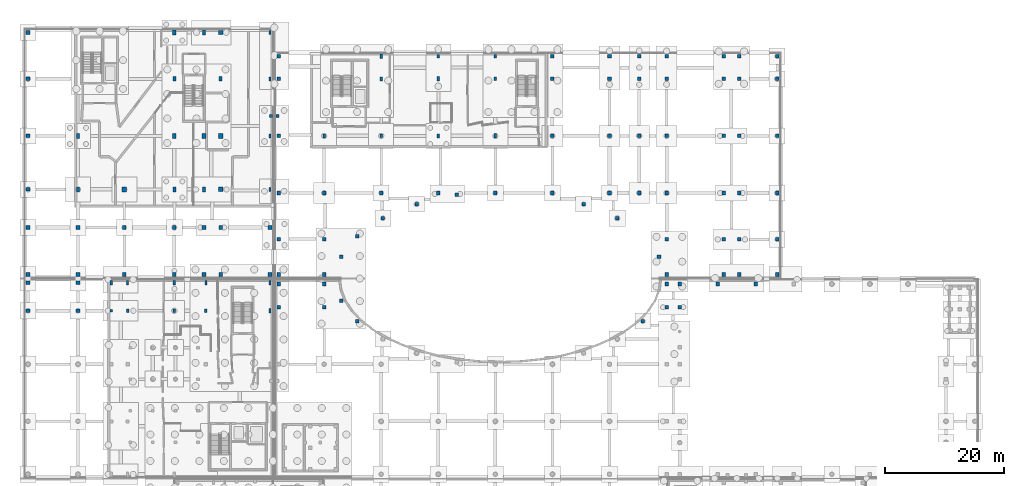
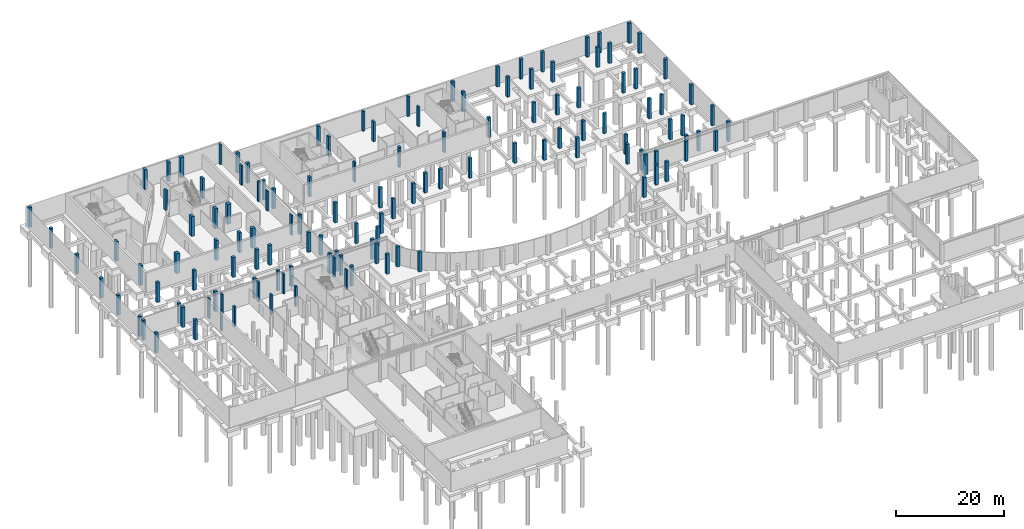
# One storey, part 14 of 40: 131 columns.
"""IFC4 building model written with IfcOpenShell, lengths in metres."""

from ifc_helpers import new_model, si_unit, direction, frame, origin, origin_2d, place, context, subcontext, project, spatial, rectangle, extrude, material, material_profile, profile_set, type_object, element, save


model = new_model("IFC4")

# Units and contexts
model_context = context("Model", 3, precision=1e-05, world=origin(), true_north=direction((0.0, 1.0)))
body_context = subcontext(model_context, "Body", "Model", "MODEL_VIEW")
ifc_project = project(units=[si_unit("LENGTHUNIT", "METRE"), si_unit("AREAUNIT", "SQUARE_METRE"), si_unit("VOLUMEUNIT", "CUBIC_METRE"), si_unit("PLANEANGLEUNIT", "RADIAN"), si_unit("MASSUNIT", "GRAM", prefix="KILO")], contexts=[model_context])

# Site, building, storey
site_placement = place(None, origin())
site = spatial("IfcSite", under=ifc_project, at=site_placement, CompositionType="ELEMENT")
building_placement = place(site_placement, origin())
building = spatial("IfcBuilding", under=site, at=building_placement, Name="Mzevani Central Library", CompositionType="ELEMENT")
storey_placement = place(building_placement, frame((0.0, 0.0, -4.5)))
storey = spatial("IfcBuildingStorey", under=building, at=storey_placement, Name="B1", CompositionType="ELEMENT", Elevation=-4.5)

# Columns
ifc_material = material(Name="Concrete C40/50", Category="concrete")
ifc_material_profile_1 = material_profile(ifc_material, rectangle(XDim=0.39990234375, YDim=0.60009765625, at=origin_2d()), Name="RC 400x600")
ifc_profile_set_1 = profile_set([ifc_material_profile_1], Name="Concrete C40/50")
column_type_1 = type_object("IfcColumnType", Name="Column RC 400x600", PredefinedType="COLUMN", material=ifc_profile_set_1)
for number, where, z_axis, x_axis, name in (
    (1, (64.0, 100.0, 0.0), (0.0, 0.0, 1.0), (1.0, 0.0, 0.0), "B1 V3 Column C-11 (111)"),
    (2, (73.60009765625, 113.39990234375, 0.0), (0.0, 0.0, 1.0), (1.0, 0.0, 0.0), "B1 V3 Column C-11 (117)"),
    (3, (83.199951171875, 109.60009765625, 0.0), (0.0, 0.0, 1.0), (1.0, 0.0, 0.0), "B1 V3 Column C-11 (120)"),
    (4, (21.35009765625, 70.60009765625, 0.0), (0.0, 0.0, 1.0), (1.0, 0.0, 0.0), "B1 V5 Column C-11 (200)"),
    (5, (29.199951171875, 70.60009765625, 0.0), (0.0, 0.0, 1.0), (1.0, 0.0, 0.0), "B1 V5 Column C-11 (203)"),
    (6, (34.5, 70.60009765625, 0.0), (0.0, 0.0, 1.0), (1.0, 0.0, 0.0), "B1 V5 Column C-11 (206)"),
):
    element("IfcColumn", number, at=place(storey_placement, frame(where, z_axis=z_axis, x_axis=x_axis)), inside=storey, type_object=column_type_1, Name=name, PredefinedType="COLUMN", context=body_context, shape_type="SweptSolid", body=[
        extrude(rectangle(XDim=0.39990234375, YDim=0.60009765625, at=origin_2d()), origin(), (0.0, 0.0, 1.0), 4.5),
    ])
ifc_material_profile_2 = material_profile(ifc_material, rectangle(XDim=0.449951171875, YDim=0.449951171875, at=origin_2d()), Name="RC 450x450")
ifc_profile_set_2 = profile_set([ifc_material_profile_2], Name="Concrete C40/50")
column_type_2 = type_object("IfcColumnType", Name="Column RC 450x450", PredefinedType="COLUMN", material=ifc_profile_set_2)
column_placement = place(storey_placement, frame((18.60009765625, 70.60009765625, 0.0), z_axis=(0.0, 0.0, 1.0), x_axis=(1.0, 0.0, 0.0)))
element("IfcColumn", 7, at=column_placement, inside=storey, type_object=column_type_2, Name="B1 V5 Column C-03 (195)", PredefinedType="COLUMN", context=body_context, shape_type="SweptSolid", body=[
    extrude(rectangle(XDim=0.449951171875, YDim=0.449951171875, at=origin_2d()), origin(), (0.0, 0.0, 1.0), 4.5),
])
ifc_material_profile_3 = material_profile(ifc_material, rectangle(XDim=0.449951171875, YDim=0.64990234375, at=origin_2d()), Name="RC 450x650")
ifc_profile_set_3 = profile_set([ifc_material_profile_3], Name="Concrete C40/50")
column_type_3 = type_object("IfcColumnType", Name="Column RC 450x650", PredefinedType="COLUMN", material=ifc_profile_set_3)
for number, where, z_axis, x_axis, name in (
    (8, (54.39990234375, 100.0, 0.0), (0.0, 0.0, 1.0), (1.0, 0.0, 0.0), "B1 V3 Column C-12 (109)"),
    (9, (64.0, 109.60009765625, 0.0), (0.0, 0.0, 1.0), (1.0, 0.0, 0.0), "B1 V3 Column C-12 (112)"),
    (10, (73.60009765625, 100.0, 0.0), (0.0, 0.0, 1.0), (1.0, 0.0, 0.0), "B1 V3 Column C-12 (115)"),
    (11, (83.199951171875, 113.39990234375, 0.0), (0.0, 0.0, 1.0), (1.0, 0.0, 0.0), "B1 V3 Column C-12 (121)"),
):
    element("IfcColumn", number, at=place(storey_placement, frame(where, z_axis=z_axis, x_axis=x_axis)), inside=storey, type_object=column_type_3, Name=name, PredefinedType="COLUMN", context=body_context, shape_type="SweptSolid", body=[
        extrude(rectangle(XDim=0.449951171875, YDim=0.64990234375, at=origin_2d()), origin(), (0.0, 0.0, 1.0), 4.5),
    ])
ifc_material_profile_4 = material_profile(ifc_material, rectangle(XDim=0.449951171875, YDim=0.75, at=origin_2d()), Name="RC 450x750")
ifc_profile_set_4 = profile_set([ifc_material_profile_4], Name="Concrete C40/50")
column_type_4 = type_object("IfcColumnType", Name="Column RC 450x750", PredefinedType="COLUMN", material=ifc_profile_set_4)
for number, where, z_axis, x_axis, name in (
    (12, (64.0, 113.39990234375, 0.0), (0.0, 0.0, 1.0), (1.0, 0.0, 0.0), "B1 V3 Column C-13 (113)"),
    (13, (73.60009765625, 109.60009765625, 0.0), (0.0, 0.0, 1.0), (1.0, 0.0, 0.0), "B1 V3 Column C-13 (116)"),
    (14, (83.199951171875, 100.0, 0.0), (0.0, 0.0, 1.0), (1.0, 0.0, 0.0), "B1 V3 Column C-13 (119)"),
):
    element("IfcColumn", number, at=place(storey_placement, frame(where, z_axis=z_axis, x_axis=x_axis)), inside=storey, type_object=column_type_4, Name=name, PredefinedType="COLUMN", context=body_context, shape_type="SweptSolid", body=[
        extrude(rectangle(XDim=0.449951171875, YDim=0.75, at=origin_2d()), origin(), (0.0, 0.0, 1.0), 4.5),
    ])
ifc_material_profile_5 = material_profile(ifc_material, rectangle(XDim=0.5, YDim=0.5, at=origin_2d()), Name="RC 500x500")
ifc_profile_set_5 = profile_set([ifc_material_profile_5], Name="Concrete C40/50")
column_type_5 = type_object("IfcColumnType", Name="Column RC 500x500", PredefinedType="COLUMN", material=ifc_profile_set_5)
for number, where, z_axis, x_axis, name in (
    (15, (45.449951171875, 103.35009765625, 0.0), (0.0, 0.0, 1.0), (1.0, 0.0, 0.0), "B1 Seismic Joint Corbel Column 4"),
    (16, (46.550048828125, 103.35009765625, 0.0), (0.0, 0.0, 1.0), (1.0, 0.0, 0.0), "B1 Seismic Joint Corbel Column 6"),
):
    element("IfcColumn", number, at=place(storey_placement, frame(where, z_axis=z_axis, x_axis=x_axis)), inside=storey, type_object=column_type_5, Name=name, PredefinedType="COLUMN", context=body_context, shape_type="SweptSolid", body=[
        extrude(rectangle(XDim=0.5, YDim=0.5, at=origin_2d()), origin(), (0.0, 0.0, 1.0), 4.5),
    ])
ifc_material_profile_6 = material_profile(ifc_material, rectangle(XDim=0.5, YDim=0.800048828125, at=origin_2d()), Name="RC 500x800")
ifc_profile_set_6 = profile_set([ifc_material_profile_6], Name="Concrete C40/50")
column_type_6 = type_object("IfcColumnType", Name="Column RC 500x800", PredefinedType="COLUMN", material=ifc_profile_set_6)
for number, where, z_axis, x_axis, name in (
    (17, (13.0, 100.0, 0.0), (0.0, 0.0, 1.0), (1.0, 0.0, 0.0), "B1 V2 Column C-15 (72)"),
    (18, (29.199951171875, 91.0, 0.0), (0.0, 0.0, 1.0), (1.0, 0.0, 0.0), "B1 V2 Column C-15 (79)"),
    (19, (29.199951171875, 109.60009765625, 0.0), (0.0, 0.0, 1.0), (1.0, 0.0, 0.0), "B1 V2 Column C-15 (81)"),
    (20, (34.199951171875, 91.0, 0.0), (0.0, 0.0, 1.0), (1.0, 0.0, 0.0), "B1 V2 Column C-15 (85)"),
    (21, (34.199951171875, 117.39990234375, 0.0), (0.0, 0.0, 1.0), (1.0, 0.0, 0.0), "B1 V2 Column C-15 (87)"),
    (22, (37.0, 109.60009765625, 0.0), (0.0, 0.0, 1.0), (1.0, 0.0, 0.0), "B1 V2 Column C-15 (92)"),
):
    element("IfcColumn", number, at=place(storey_placement, frame(where, z_axis=z_axis, x_axis=x_axis)), inside=storey, type_object=column_type_6, Name=name, PredefinedType="COLUMN", context=body_context, shape_type="SweptSolid", body=[
        extrude(rectangle(XDim=0.5, YDim=0.800048828125, at=origin_2d()), origin(), (0.0, 0.0, 1.0), 4.5),
    ])
ifc_material_profile_7 = material_profile(ifc_material, rectangle(XDim=0.550048828125, YDim=0.85009765625, at=origin_2d()), Name="RC 550x850")
ifc_profile_set_7 = profile_set([ifc_material_profile_7], Name="Concrete C40/50")
column_type_7 = type_object("IfcColumnType", Name="Column RC 550x850", PredefinedType="COLUMN", material=ifc_profile_set_7)
for number, where, z_axis, x_axis, name in (
    (23, (13.0, 91.0, 0.0), (0.0, 0.0, 1.0), (1.0, 0.0, 0.0), "B1 V2 Column C-16 (71)"),
    (24, (29.199951171875, 117.39990234375, 0.0), (0.0, 0.0, 1.0), (1.0, 0.0, 0.0), "B1 V2 Column C-16 (82)"),
):
    element("IfcColumn", number, at=place(storey_placement, frame(where, z_axis=z_axis, x_axis=x_axis)), inside=storey, type_object=column_type_7, Name=name, PredefinedType="COLUMN", context=body_context, shape_type="SweptSolid", body=[
        extrude(rectangle(XDim=0.550048828125, YDim=0.85009765625, at=origin_2d()), origin(), (0.0, 0.0, 1.0), 4.5),
    ])
ifc_material_profile_8 = material_profile(ifc_material, rectangle(XDim=0.60009765625, YDim=0.60009765625, at=origin_2d()), Name="RC 600x600")
ifc_profile_set_8 = profile_set([ifc_material_profile_8], Name="Concrete C40/50")
column_type_8 = type_object("IfcColumnType", Name="Column RC 600x600", PredefinedType="COLUMN", material=ifc_profile_set_8)
for number, where, z_axis, x_axis, name in (
    (25, (46.75, 71.199951171875, 0.0), (0.0, 0.0, 1.0), (1.0, 0.0, 0.0), "B1 V1 Foundation Pedestal (2)"),
    (26, (46.75, 75.10009765625, 0.0), (0.0, 0.0, 1.0), (1.0, 0.0, 0.0), "B1 V1 Foundation Pedestal (3)"),
    (27, (54.39990234375, 71.199951171875, 0.0), (0.0, 0.0, 1.0), (1.0, 0.0, 0.0), "B1 V1 Foundation Pedestal (5)"),
    (28, (54.39990234375, 75.10009765625, 0.0), (0.0, 0.0, 1.0), (1.0, 0.0, 0.0), "B1 V1 Foundation Pedestal (6)"),
    (29, (112.0, 71.199951171875, 0.0), (0.0, 0.0, 1.0), (1.0, 0.0, 0.0), "B1 V1 Foundation Pedestal (25)"),
    (30, (112.0, 75.10009765625, 0.0), (0.0, 0.0, 1.0), (1.0, 0.0, 0.0), "B1 V1 Foundation Pedestal (26)"),
    (31, (114.199951171875, 71.199951171875, 0.0), (0.0, 0.0, 1.0), (1.0, 0.0, 0.0), "B1 V1 Foundation Pedestal (30)"),
    (32, (114.199951171875, 75.10009765625, 0.0), (0.0, 0.0, 1.0), (1.0, 0.0, 0.0), "B1 V1 Foundation Pedestal (31)"),
    (33, (120.60009765625, 75.10009765625, 0.0), (0.0, 0.0, 1.0), (1.0, 0.0, 0.0), "B1 V1 Foundation Pedestal (39)"),
    (34, (127.0, 75.10009765625, 0.0), (0.0, 0.0, 1.0), (1.0, 0.0, 0.0), "B1 V1 Foundation Pedestal (41)"),
    (35, (57.27099609375, 72.30908203125, 0.0), (0.0, 0.0, 1.0), (1.0, 0.0, 0.0), "B1 V1 Foundation Pedestal (55)"),
    (36, (59.97607421875, 68.85107421875, 0.0), (0.0, 0.0, 1.0), (1.0, 0.0, 0.0), "B1 V1 Foundation Pedestal (56)"),
    (37, (108.02392578125, 68.85107421875, 0.0), (0.0, 0.0, 1.0), (1.0, 0.0, 0.0), "B1 V1 Foundation Pedestal (62)"),
    (38, (4.60009765625, 76.699951171875, 0.0), (0.0, 0.0, 1.0), (1.0, 0.0, 0.0), "B1 V2 Foundation Pedestal (63)"),
    (39, (4.60009765625, 84.60009765625, 0.0), (0.0, 0.0, 1.0), (1.0, 0.0, 0.0), "B1 V2 Foundation Pedestal (64)"),
    (40, (4.60009765625, 91.0, 0.0), (0.0, 0.0, 1.0), (1.0, 0.0, 0.0), "B1 V2 Foundation Pedestal (65)"),
    (41, (4.60009765625, 100.0, 0.0), (0.0, 0.0, 1.0), (1.0, 0.0, 0.0), "B1 V2 Foundation Pedestal (66)"),
    (42, (4.60009765625, 109.60009765625, 0.0), (0.0, 0.0, 1.0), (1.0, 0.0, 0.0), "B1 V2 Foundation Pedestal (67)"),
    (43, (4.60009765625, 117.39990234375, 0.0), (0.0, 0.0, 1.0), (1.0, 0.0, 0.0), "B1 V2 Foundation Pedestal (68)"),
    (44, (13.0, 76.699951171875, 0.0), (0.0, 0.0, 1.0), (1.0, 0.0, 0.0), "B1 V2 Foundation Pedestal (69)"),
    (45, (13.0, 84.60009765625, 0.0), (0.0, 0.0, 1.0), (1.0, 0.0, 0.0), "B1 V2 Foundation Pedestal (70)"),
    (46, (20.800048828125, 76.699951171875, 0.0), (0.0, 0.0, 1.0), (1.0, 0.0, 0.0), "B1 V2 Foundation Pedestal (71)"),
    (47, (20.800048828125, 84.60009765625, 0.0), (0.0, 0.0, 1.0), (1.0, 0.0, 0.0), "B1 V2 Foundation Pedestal (72)"),
    (48, (29.199951171875, 76.699951171875, 0.0), (0.0, 0.0, 1.0), (1.0, 0.0, 0.0), "B1 V2 Foundation Pedestal (73)"),
    (49, (29.199951171875, 84.60009765625, 0.0), (0.0, 0.0, 1.0), (1.0, 0.0, 0.0), "B1 V2 Foundation Pedestal (74)"),
    (50, (34.199951171875, 76.699951171875, 0.0), (0.0, 0.0, 1.0), (1.0, 0.0, 0.0), "B1 V2 Foundation Pedestal (75)"),
    (51, (34.199951171875, 84.60009765625, 0.0), (0.0, 0.0, 1.0), (1.0, 0.0, 0.0), "B1 V2 Foundation Pedestal (76)"),
    (52, (37.0, 76.699951171875, 0.0), (0.0, 0.0, 1.0), (1.0, 0.0, 0.0), "B1 V2 Foundation Pedestal (77)"),
    (53, (37.0, 84.60009765625, 0.0), (0.0, 0.0, 1.0), (1.0, 0.0, 0.0), "B1 V2 Foundation Pedestal (78)"),
    (54, (45.300048828125, 76.699951171875, 0.0), (0.0, 0.0, 1.0), (1.0, 0.0, 0.0), "B1 V2 Foundation Pedestal (79)"),
    (55, (45.300048828125, 84.60009765625, 0.0), (0.0, 0.0, 1.0), (1.0, 0.0, 0.0), "B1 V2 Foundation Pedestal (80)"),
    (56, (46.75, 76.699951171875, 0.0), (0.0, 0.0, 1.0), (1.0, 0.0, 0.0), "B1 V3 Foundation Pedestal (81)"),
    (57, (46.75, 82.60009765625, 0.0), (0.0, 0.0, 1.0), (1.0, 0.0, 0.0), "B1 V3 Foundation Pedestal (82)"),
    (58, (46.75, 90.39990234375, 0.0), (0.0, 0.0, 1.0), (1.0, 0.0, 0.0), "B1 V3 Foundation Pedestal (83)"),
    (59, (46.75, 100.0, 0.0), (0.0, 0.0, 1.0), (1.0, 0.0, 0.0), "B1 V3 Foundation Pedestal (84)"),
    (60, (46.75, 109.60009765625, 0.0), (0.0, 0.0, 1.0), (1.0, 0.0, 0.0), "B1 V3 Foundation Pedestal (85)"),
    (61, (46.75, 113.39990234375, 0.0), (0.0, 0.0, 1.0), (1.0, 0.0, 0.0), "B1 V3 Foundation Pedestal (86)"),
    (62, (54.39990234375, 76.699951171875, 0.0), (0.0, 0.0, 1.0), (1.0, 0.0, 0.0), "B1 V3 Foundation Pedestal (87)"),
    (63, (54.39990234375, 82.60009765625, 0.0), (0.0, 0.0, 1.0), (1.0, 0.0, 0.0), "B1 V3 Foundation Pedestal (88)"),
    (64, (54.39990234375, 90.39990234375, 0.0), (0.0, 0.0, 1.0), (1.0, 0.0, 0.0), "B1 V3 Foundation Pedestal (89)"),
    (65, (64.0, 90.39990234375, 0.0), (0.0, 0.0, 1.0), (1.0, 0.0, 0.0), "B1 V3 Foundation Pedestal (90)"),
    (66, (73.60009765625, 90.39990234375, 0.0), (0.0, 0.0, 1.0), (1.0, 0.0, 0.0), "B1 V3 Foundation Pedestal (91)"),
    (67, (83.199951171875, 90.39990234375, 0.0), (0.0, 0.0, 1.0), (1.0, 0.0, 0.0), "B1 V3 Foundation Pedestal (92)"),
    (68, (92.800048828125, 90.39990234375, 0.0), (0.0, 0.0, 1.0), (1.0, 0.0, 0.0), "B1 V3 Foundation Pedestal (93)"),
    (69, (92.800048828125, 100.0, 0.0), (0.0, 0.0, 1.0), (1.0, 0.0, 0.0), "B1 V3 Foundation Pedestal (94)"),
    (70, (92.800048828125, 109.60009765625, 0.0), (0.0, 0.0, 1.0), (1.0, 0.0, 0.0), "B1 V3 Foundation Pedestal (95)"),
    (71, (92.800048828125, 113.39990234375, 0.0), (0.0, 0.0, 1.0), (1.0, 0.0, 0.0), "B1 V3 Foundation Pedestal (96)"),
    (72, (102.39990234375, 90.39990234375, 0.0), (0.0, 0.0, 1.0), (1.0, 0.0, 0.0), "B1 V3 Foundation Pedestal (97)"),
    (73, (102.39990234375, 100.0, 0.0), (0.0, 0.0, 1.0), (1.0, 0.0, 0.0), "B1 V3 Foundation Pedestal (98)"),
    (74, (102.39990234375, 109.60009765625, 0.0), (0.0, 0.0, 1.0), (1.0, 0.0, 0.0), "B1 V3 Foundation Pedestal (99)"),
    (75, (102.39990234375, 113.39990234375, 0.0), (0.0, 0.0, 1.0), (1.0, 0.0, 0.0), "B1 V3 Foundation Pedestal (100)"),
    (76, (107.39990234375, 90.39990234375, 0.0), (0.0, 0.0, 1.0), (1.0, 0.0, 0.0), "B1 V3 Foundation Pedestal (101)"),
    (77, (107.39990234375, 100.0, 0.0), (0.0, 0.0, 1.0), (1.0, 0.0, 0.0), "B1 V3 Foundation Pedestal (102)"),
    (78, (107.39990234375, 109.60009765625, 0.0), (0.0, 0.0, 1.0), (1.0, 0.0, 0.0), "B1 V3 Foundation Pedestal (103)"),
    (79, (107.39990234375, 113.39990234375, 0.0), (0.0, 0.0, 1.0), (1.0, 0.0, 0.0), "B1 V3 Foundation Pedestal (104)"),
    (80, (112.0, 76.699951171875, 0.0), (0.0, 0.0, 1.0), (1.0, 0.0, 0.0), "B1 V3 Foundation Pedestal (105)"),
    (81, (112.0, 82.60009765625, 0.0), (0.0, 0.0, 1.0), (1.0, 0.0, 0.0), "B1 V3 Foundation Pedestal (106)"),
    (82, (112.0, 90.39990234375, 0.0), (0.0, 0.0, 1.0), (1.0, 0.0, 0.0), "B1 V3 Foundation Pedestal (107)"),
    (83, (112.0, 100.0, 0.0), (0.0, 0.0, 1.0), (1.0, 0.0, 0.0), "B1 V3 Foundation Pedestal (108)"),
    (84, (112.0, 109.60009765625, 0.0), (0.0, 0.0, 1.0), (1.0, 0.0, 0.0), "B1 V3 Foundation Pedestal (109)"),
    (85, (112.0, 113.39990234375, 0.0), (0.0, 0.0, 1.0), (1.0, 0.0, 0.0), "B1 V3 Foundation Pedestal (110)"),
    (86, (121.60009765625, 76.699951171875, 0.0), (0.0, 0.0, 1.0), (1.0, 0.0, 0.0), "B1 V3 Foundation Pedestal (111)"),
    (87, (121.60009765625, 82.60009765625, 0.0), (0.0, 0.0, 1.0), (1.0, 0.0, 0.0), "B1 V3 Foundation Pedestal (112)"),
    (88, (121.60009765625, 90.39990234375, 0.0), (0.0, 0.0, 1.0), (1.0, 0.0, 0.0), "B1 V3 Foundation Pedestal (113)"),
    (89, (121.60009765625, 100.0, 0.0), (0.0, 0.0, 1.0), (1.0, 0.0, 0.0), "B1 V3 Foundation Pedestal (114)"),
    (90, (121.60009765625, 109.60009765625, 0.0), (0.0, 0.0, 1.0), (1.0, 0.0, 0.0), "B1 V3 Foundation Pedestal (115)"),
    (91, (121.60009765625, 113.39990234375, 0.0), (0.0, 0.0, 1.0), (1.0, 0.0, 0.0), "B1 V3 Foundation Pedestal (116)"),
    (92, (124.199951171875, 76.699951171875, 0.0), (0.0, 0.0, 1.0), (1.0, 0.0, 0.0), "B1 V3 Foundation Pedestal (117)"),
    (93, (124.199951171875, 82.60009765625, 0.0), (0.0, 0.0, 1.0), (1.0, 0.0, 0.0), "B1 V3 Foundation Pedestal (118)"),
    (94, (124.199951171875, 90.39990234375, 0.0), (0.0, 0.0, 1.0), (1.0, 0.0, 0.0), "B1 V3 Foundation Pedestal (119)"),
    (95, (124.199951171875, 100.0, 0.0), (0.0, 0.0, 1.0), (1.0, 0.0, 0.0), "B1 V3 Foundation Pedestal (120)"),
    (96, (124.199951171875, 109.60009765625, 0.0), (0.0, 0.0, 1.0), (1.0, 0.0, 0.0), "B1 V3 Foundation Pedestal (121)"),
    (97, (124.199951171875, 113.39990234375, 0.0), (0.0, 0.0, 1.0), (1.0, 0.0, 0.0), "B1 V3 Foundation Pedestal (122)"),
    (98, (130.60009765625, 76.699951171875, 0.0), (0.0, 0.0, 1.0), (1.0, 0.0, 0.0), "B1 V3 Foundation Pedestal (123)"),
    (99, (130.60009765625, 82.60009765625, 0.0), (0.0, 0.0, 1.0), (1.0, 0.0, 0.0), "B1 V3 Foundation Pedestal (124)"),
    (100, (130.60009765625, 90.39990234375, 0.0), (0.0, 0.0, 1.0), (1.0, 0.0, 0.0), "B1 V3 Foundation Pedestal (125)"),
    (101, (130.60009765625, 100.0, 0.0), (0.0, 0.0, 1.0), (1.0, 0.0, 0.0), "B1 V3 Foundation Pedestal (126)"),
    (102, (130.60009765625, 109.60009765625, 0.0), (0.0, 0.0, 1.0), (1.0, 0.0, 0.0), "B1 V3 Foundation Pedestal (127)"),
    (103, (130.60009765625, 113.39990234375, 0.0), (0.0, 0.0, 1.0), (1.0, 0.0, 0.0), "B1 V3 Foundation Pedestal (128)"),
    (104, (110.72900390625, 79.69091796875, 0.0), (0.0, 0.0, 1.0), (1.0, 0.0, 0.0), "B1 V3 Foundation Pedestal (129)"),
    (105, (103.7060546875, 86.156005859375, 0.0), (0.0, 0.0, 1.0), (1.0, 0.0, 0.0), "B1 V3 Foundation Pedestal (130)"),
    (106, (98.033935546875, 88.528076171875, 0.0), (0.0, 0.0, 1.0), (1.0, 0.0, 0.0), "B1 V3 Foundation Pedestal (131)"),
    (107, (76.672119140625, 90.095947265625, 0.0), (0.0, 0.0, 1.0), (1.0, 0.0, 0.0), "B1 V3 Foundation Pedestal (132)"),
    (108, (69.966064453125, 88.528076171875, 0.0), (0.0, 0.0, 1.0), (1.0, 0.0, 0.0), "B1 V3 Foundation Pedestal (133)"),
    (109, (64.2939453125, 86.156005859375, 0.0), (0.0, 0.0, 1.0), (1.0, 0.0, 0.0), "B1 V3 Foundation Pedestal (134)"),
    (110, (59.97607421875, 83.14892578125, 0.0), (0.0, 0.0, 1.0), (1.0, 0.0, 0.0), "B1 V3 Foundation Pedestal (135)"),
    (111, (57.27099609375, 79.69091796875, 0.0), (0.0, 0.0, 1.0), (1.0, 0.0, 0.0), "B1 V3 Foundation Pedestal (136)"),
    (112, (4.60009765625, 70.60009765625, 0.0), (0.0, 0.0, 1.0), (1.0, 0.0, 0.0), "B1 V5 Foundation Pedestal (144)"),
    (113, (4.60009765625, 75.300048828125, 0.0), (0.0, 0.0, 1.0), (1.0, 0.0, 0.0), "B1 V5 Foundation Pedestal (145)"),
    (114, (13.0, 70.60009765625, 0.0), (0.0, 0.0, 1.0), (1.0, 0.0, 0.0), "B1 V5 Foundation Pedestal (149)"),
    (115, (13.0, 75.300048828125, 0.0), (0.0, 0.0, 1.0), (1.0, 0.0, 0.0), "B1 V5 Foundation Pedestal (150)"),
):
    element("IfcColumn", number, at=place(storey_placement, frame(where, z_axis=z_axis, x_axis=x_axis)), inside=storey, type_object=column_type_8, Name=name, PredefinedType="COLUMN", context=body_context, shape_type="SweptSolid", body=[
        extrude(rectangle(XDim=0.60009765625, YDim=0.60009765625, at=origin_2d()), origin(), (0.0, 0.0, 1.0), 4.5),
    ])
ifc_material_profile_9 = material_profile(ifc_material, rectangle(XDim=0.60009765625, YDim=0.89990234375, at=origin_2d()), Name="RC 600x900")
ifc_profile_set_9 = profile_set([ifc_material_profile_9], Name="Concrete C40/50")
column_type_9 = type_object("IfcColumnType", Name="Column RC 600x900", PredefinedType="COLUMN", material=ifc_profile_set_9)
for number, where, z_axis, x_axis, name in (
    (116, (29.199951171875, 100.0, 0.0), (0.0, 0.0, 1.0), (1.0, 0.0, 0.0), "B1 V2 Column C-17 (80)"),
    (117, (34.199951171875, 100.0, 0.0), (0.0, 0.0, 1.0), (1.0, 0.0, 0.0), "B1 V2 Column C-17 (86)"),
):
    element("IfcColumn", number, at=place(storey_placement, frame(where, z_axis=z_axis, x_axis=x_axis)), inside=storey, type_object=column_type_9, Name=name, PredefinedType="COLUMN", context=body_context, shape_type="SweptSolid", body=[
        extrude(rectangle(XDim=0.60009765625, YDim=0.89990234375, at=origin_2d()), origin(), (0.0, 0.0, 1.0), 4.5),
    ])
ifc_material_profile_10 = material_profile(ifc_material, rectangle(XDim=0.75, YDim=0.75, at=origin_2d()), Name="RC 750x750")
ifc_profile_set_10 = profile_set([ifc_material_profile_10], Name="Concrete C40/50")
column_type_10 = type_object("IfcColumnType", Name="Column RC 750x750", PredefinedType="COLUMN", material=ifc_profile_set_10)
for number, where, z_axis, x_axis, name in (
    (118, (37.0, 91.0, 0.0), (0.0, 0.0, 1.0), (1.0, 0.0, 0.0), "B1 V2 Column C-09 (90)"),
    (119, (37.0, 117.39990234375, 0.0), (0.0, 0.0, 1.0), (1.0, 0.0, 0.0), "B1 V2 Column C-09 (93)"),
):
    element("IfcColumn", number, at=place(storey_placement, frame(where, z_axis=z_axis, x_axis=x_axis)), inside=storey, type_object=column_type_10, Name=name, PredefinedType="COLUMN", context=body_context, shape_type="SweptSolid", body=[
        extrude(rectangle(XDim=0.75, YDim=0.75, at=origin_2d()), origin(), (0.0, 0.0, 1.0), 4.5),
    ])
ifc_material_profile_11 = material_profile(ifc_material, rectangle(XDim=0.800048828125, YDim=0.800048828125, at=origin_2d()), Name="RC 800x800")
ifc_profile_set_11 = profile_set([ifc_material_profile_11], Name="Concrete C40/50")
column_type_11 = type_object("IfcColumnType", Name="Column RC 800x800", PredefinedType="COLUMN", material=ifc_profile_set_11)
for number, where, z_axis, x_axis, name in (
    (120, (20.800048828125, 91.0, 0.0), (0.0, 0.0, 1.0), (1.0, 0.0, 0.0), "B1 V2 Column C-10 (75)"),
    (121, (37.0, 100.0, 0.0), (0.0, 0.0, 1.0), (1.0, 0.0, 0.0), "B1 V2 Column C-10 (91)"),
):
    element("IfcColumn", number, at=place(storey_placement, frame(where, z_axis=z_axis, x_axis=x_axis)), inside=storey, type_object=column_type_11, Name=name, PredefinedType="COLUMN", context=body_context, shape_type="SweptSolid", body=[
        extrude(rectangle(XDim=0.800048828125, YDim=0.800048828125, at=origin_2d()), origin(), (0.0, 0.0, 1.0), 4.5),
    ])
ifc_material_profile_12 = material_profile(ifc_material, rectangle(XDim=0.35009765625, YDim=0.699951171875, at=origin_2d()), Name="RC 350x700")
ifc_profile_set_12 = profile_set([ifc_material_profile_12], Name="Concrete C40/50")
column_type_12 = type_object("IfcColumnType", Name="Joint Twin Column RC 350x700", PredefinedType="COLUMN", material=ifc_profile_set_12)
for number, where, z_axis, x_axis, name in (
    (122, (45.300048828125, 91.0, 0.0), (0.0, 0.0, 1.0), (1.0, 0.0, 0.0), "B1 V2 Column C-18 (96)"),
    (123, (45.300048828125, 100.0, 0.0), (0.0, 0.0, 1.0), (1.0, 0.0, 0.0), "B1 V2 Column C-18 (97)"),
    (124, (45.300048828125, 109.60009765625, 0.0), (0.0, 0.0, 1.0), (1.0, 0.0, 0.0), "B1 V2 Column C-18 (98)"),
    (125, (45.300048828125, 117.39990234375, 0.0), (0.0, 0.0, 1.0), (1.0, 0.0, 0.0), "B1 V2 Column C-18 (99)"),
    (126, (18.60009765625, 75.300048828125, 0.0), (0.0, 0.0, 1.0), (1.0, 0.0, 0.0), "B1 V5 Column C-18 (196)"),
    (127, (21.35009765625, 75.300048828125, 0.0), (0.0, 0.0, 1.0), (1.0, 0.0, 0.0), "B1 V5 Column C-18 (201)"),
    (128, (29.199951171875, 75.300048828125, 0.0), (0.0, 0.0, 1.0), (1.0, 0.0, 0.0), "B1 V5 Column C-18 (204)"),
    (129, (34.5, 75.300048828125, 0.0), (0.0, 0.0, 1.0), (1.0, 0.0, 0.0), "B1 V5 Column C-18 (207)"),
    (130, (45.300048828125, 70.60009765625, 0.0), (0.0, 0.0, 1.0), (1.0, 0.0, 0.0), "B1 V5 Column C-18 (209)"),
    (131, (45.300048828125, 75.300048828125, 0.0), (0.0, 0.0, 1.0), (1.0, 0.0, 0.0), "B1 V5 Column C-18 (210)"),
):
    element("IfcColumn", number, at=place(storey_placement, frame(where, z_axis=z_axis, x_axis=x_axis)), inside=storey, type_object=column_type_12, Name=name, PredefinedType="COLUMN", context=body_context, shape_type="SweptSolid", body=[
        extrude(rectangle(XDim=0.35009765625, YDim=0.699951171875, at=origin_2d()), origin(), (0.0, 0.0, 1.0), 4.5),
    ])

save(model, "model.ifc")
